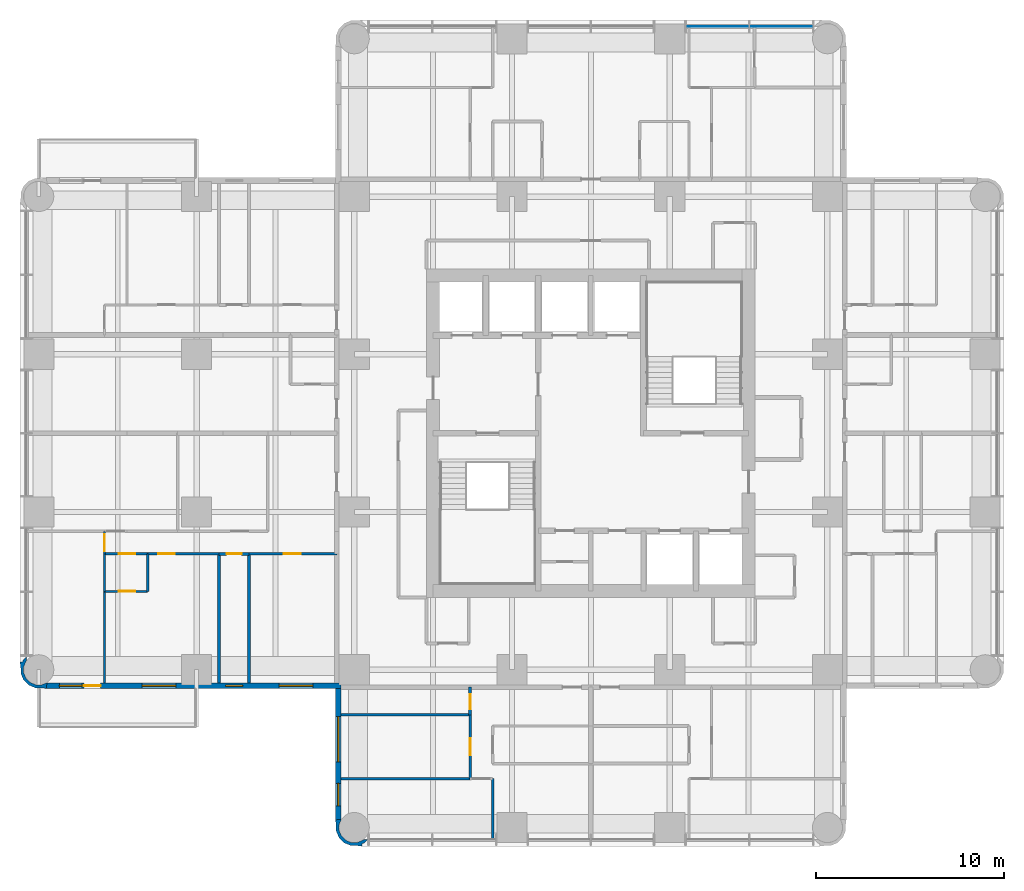
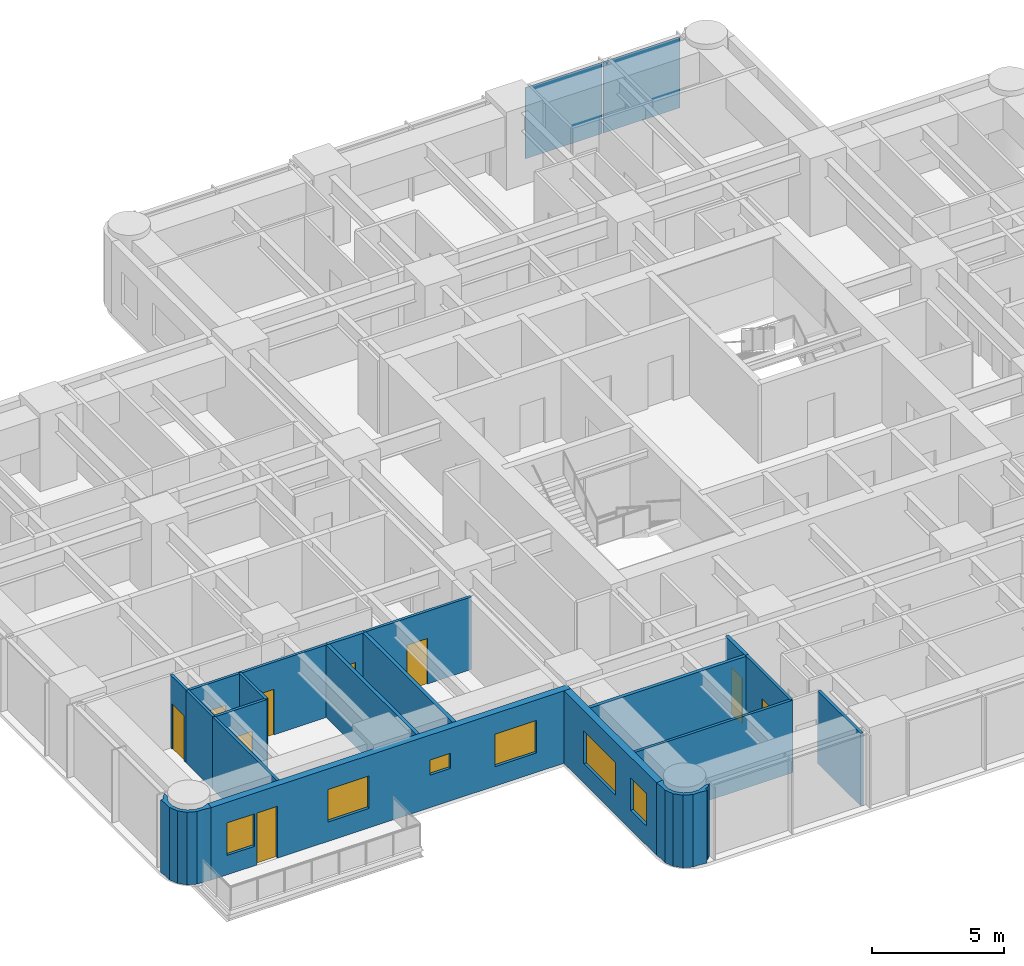
# One storey, part 4 of 11: 20 walls, 9 doors, 6 windows, 2 plates, 15 openings, 1 element without a shape of its own.
"""IFC4 building model written with IfcOpenShell, lengths in metres."""

from ifc_helpers import new_model, si_unit, direction, frame, frame_2d, origin, origin_2d, place, context, subcontext, project, spatial, polyline, rectangle, outline, extrude, material, layer, layer_set, type_object, element, fill, aggregate, save


model = new_model("IFC4")

# Units and contexts
model_context = context("Model", 3, precision=1e-05, world=origin(), true_north=direction((0.0, 1.0)))
body_context = subcontext(model_context, "Body", "Model", "MODEL_VIEW")
ifc_project = project(units=[si_unit("LENGTHUNIT", "METRE"), si_unit("AREAUNIT", "SQUARE_METRE"), si_unit("VOLUMEUNIT", "CUBIC_METRE"), si_unit("PLANEANGLEUNIT", "RADIAN"), si_unit("MASSUNIT", "GRAM", prefix="KILO")], contexts=[model_context])

# Site, building, storey
site_placement = place(None, origin())
site = spatial("IfcSite", under=ifc_project, at=site_placement, CompositionType="ELEMENT")
building_placement = place(site_placement, origin())
building = spatial("IfcBuilding", under=site, at=building_placement, Name="Torre Alcanfor", CompositionType="ELEMENT")
storey_placement = place(building_placement, frame((0.0, 0.0, 244.5)))
storey = spatial("IfcBuildingStorey", under=building, at=storey_placement, Name="L64", CompositionType="ELEMENT", Elevation=244.5)

# Curtain wall, plates
ifc_material_1 = material(Name="Aluminium and glass", Category="aluminium")
curtain_wall_type = type_object("IfcCurtainWallType", Name="CW-A unitised apartment glazing with vertical FIN", PredefinedType="NOTDEFINED", material=ifc_material_1)
curtain_wall_placement = place(storey_placement, origin())
curtain_wall = element("IfcCurtainWall", 1, at=curtain_wall_placement, inside=storey, type_object=curtain_wall_type, Name="Curtain wall CW-A L64 11", PredefinedType="NOTDEFINED")
ifc_material_2 = material(Name="Glass", Category="glass")
ifc_layer_1 = layer(ifc_material_2, 0.028076171875)
ifc_layer_set_1 = layer_set([ifc_layer_1], Name="CW-A clear double glazed unit")
plate_type = type_object("IfcPlateType", Name="CW-A clear double glazed unit", PredefinedType="CURTAIN_PANEL", material=ifc_layer_set_1)
plate_1_placement = place(storey_placement, frame((39.541259765625, 51.050048828125, 0.0), z_axis=(0.0, 0.0, 1.0), x_axis=(-1.0, 0.0, 0.0)))
plate_1 = element("IfcPlate", 2, at=plate_1_placement, type_object=plate_type, Name="CW-A panel 1.1.1", PredefinedType="CURTAIN_PANEL", context=body_context, shape_type="SweptSolid", body=[
    extrude(rectangle(XDim=3.337646484375, YDim=0.028076171875, at=origin_2d()), origin(), (0.0, 0.0, 1.0), 3.284912109375),
])
plate_2_placement = place(storey_placement, frame((36.138671875, 51.050048828125, 0.0), z_axis=(0.0, 0.0, 1.0), x_axis=(-1.0, 0.0, 0.0)))
plate_2 = element("IfcPlate", 3, at=plate_2_placement, type_object=plate_type, Name="CW-A panel 1.2.1", PredefinedType="CURTAIN_PANEL", context=body_context, shape_type="SweptSolid", body=[
    extrude(rectangle(XDim=3.337646484375, YDim=0.028076171875, at=origin_2d()), origin(), (0.0, 0.0, 1.0), 3.284912109375),
])
aggregate(curtain_wall, [plate_1, plate_2])

# Wall, opening, door
ifc_material_3 = material(Name="Gypsum board on steel studs", Category="steel")
ifc_layer_2 = layer(ifc_material_3, 0.1201171875)
ifc_layer_set_2 = layer_set([ifc_layer_2], Name="Apartment partition 120")
wall_type_1 = type_object("IfcWallType", Name="Apartment partition 120", PredefinedType="PARTITIONING", material=ifc_layer_set_2)
wall_1_placement = place(storey_placement, frame((22.970947265625, 11.0, 0.0), z_axis=(0.0, 0.0, 1.0), x_axis=(0.0, 1.0, 0.0)))
wall_1 = element("IfcWall", 4, at=wall_1_placement, inside=storey, type_object=wall_type_1, Name="Partition L64-S2-LIVING / L64-S2-STUDY", PredefinedType="PARTITIONING", context=body_context, shape_type="SweptSolid", body=[
    extrude(rectangle(XDim=3.39990234375, YDim=0.1201171875, at=frame_2d((1.699951171875, 0.0))), origin(), (0.0, 0.0, 1.0), 3.35009765625),
])
opening_1_placement = place(wall_1_placement, frame((1.25, 0.0, 0.0)))
opening_1 = element("IfcOpeningElement", 5, at=opening_1_placement, cuts=wall_1, Name="Opening D-R1", PredefinedType="OPENING", context=body_context, shape_type="SweptSolid", body=[
    extrude(rectangle(XDim=0.89990234375, YDim=2.10009765625, at=frame_2d((0.449951171875, 1.050048828125))), frame((0.0, 0.070068359375, 0.0), z_axis=(0.0, -1.0, 0.0), x_axis=(1.0, 0.0, 0.0)), (0.0, 0.0, 1.0), 0.14013671875),
])
ifc_material_4 = material(Name="Timber", Category="wood")
door_type_1 = type_object("IfcDoorType", Name="Internal door 900x2100", OperationType="SINGLE_SWING_LEFT", PredefinedType="DOOR", material=ifc_material_4)
door_1_placement = place(opening_1_placement, origin())
door_1 = element("IfcDoor", 6, at=door_1_placement, inside=storey, type_object=door_type_1, Name="Door L64-S2 study", OperationType="SINGLE_SWING_LEFT", OverallHeight=2.10009765625, OverallWidth=0.89990234375, PredefinedType="DOOR", context=body_context, shape_type="SweptSolid", body=[
    extrude(rectangle(XDim=0.89990234375, YDim=2.10009765625, at=frame_2d((0.449951171875, 1.050048828125))), frame((0.0, 0.02490234375, 0.0), z_axis=(0.0, -1.0, 0.0), x_axis=(1.0, 0.0, 0.0)), (0.0, 0.0, 1.0), 0.050048828125),
])
fill(opening_1, door_1)

# Walls
wall_2_placement = place(storey_placement, frame((24.1708984375, 7.75, 0.0), z_axis=(0.0, 0.0, 1.0), x_axis=(0.0, 1.0, 0.0)))
element("IfcWall", 7, at=wall_2_placement, inside=storey, type_object=wall_type_1, Name="Partition L64-S2-LIVING / L64-S2-MASTER", PredefinedType="PARTITIONING", context=body_context, shape_type="SweptSolid", body=[
    extrude(rectangle(XDim=3.25, YDim=0.1201171875, at=frame_2d((1.625, 0.0))), origin(), (0.0, 0.0, 1.0), 3.35009765625),
])
wall_3_placement = place(storey_placement, frame((22.970947265625, 11.0, 0.0), z_axis=(0.0, 0.0, 1.0), x_axis=(-1.0, 0.0, 0.0)))
element("IfcWall", 8, at=wall_3_placement, inside=storey, type_object=wall_type_1, Name="Partition L64-S2-STUDY / L64-S2-MASTER", PredefinedType="PARTITIONING", context=body_context, shape_type="SweptSolid", body=[
    extrude(rectangle(XDim=6.870849609375, YDim=0.1201171875, at=frame_2d((3.435546875, 0.0))), origin(), (0.0, 0.0, 1.0), 3.35009765625),
])

# Wall, opening, door
wall_4_placement = place(storey_placement, frame((11.199951171875, 22.970947265625, 0.0), z_axis=(0.0, 0.0, 1.0), x_axis=(1.0, 0.0, 0.0)))
wall_4 = element("IfcWall", 9, at=wall_4_placement, inside=storey, type_object=wall_type_1, Name="Partition L64-W1-HALL / L64-W1-BED2", PredefinedType="PARTITIONING", context=body_context, shape_type="SweptSolid", body=[
    extrude(rectangle(XDim=4.675048828125, YDim=0.1201171875, at=frame_2d((2.33740234375, 0.0))), origin(), (0.0, 0.0, 1.0), 3.35009765625),
])
opening_2_placement = place(wall_4_placement, frame((1.85009765625, 0.0, 0.0)))
opening_2 = element("IfcOpeningElement", 10, at=opening_2_placement, cuts=wall_4, Name="Opening D-R1", PredefinedType="OPENING", context=body_context, shape_type="SweptSolid", body=[
    extrude(rectangle(XDim=0.89990234375, YDim=2.10009765625, at=frame_2d((0.449951171875, 1.050048828125))), frame((0.0, 0.070068359375, 0.0), z_axis=(0.0, -1.0, 0.0), x_axis=(1.0, 0.0, 0.0)), (0.0, 0.0, 1.0), 0.14013671875),
])
door_2_placement = place(opening_2_placement, frame((0.89990234375, 0.0, 0.0), z_axis=(0.0, 0.0, 1.0), x_axis=(-1.0, 0.0, 0.0)))
door_2 = element("IfcDoor", 11, at=door_2_placement, inside=storey, type_object=door_type_1, Name="Door L64-W1 bed2", OperationType="SINGLE_SWING_RIGHT", OverallHeight=2.10009765625, OverallWidth=0.89990234375, PredefinedType="DOOR", context=body_context, shape_type="SweptSolid", body=[
    extrude(rectangle(XDim=0.89990234375, YDim=2.10009765625, at=frame_2d((0.449951171875, 1.050048828125))), frame((0.0, 0.025146484375, 0.0), z_axis=(0.0, -1.0, 0.0), x_axis=(1.0, 0.0, 0.0)), (0.0, 0.0, 1.0), 0.050048828125),
])
fill(opening_2, door_2)

wall_5_placement = place(storey_placement, frame((5.800048828125, 22.970947265625, 0.0), z_axis=(0.0, 0.0, 1.0), x_axis=(1.0, 0.0, 0.0)))
wall_5 = element("IfcWall", 12, at=wall_5_placement, inside=storey, type_object=wall_type_1, Name="Partition L64-W1-HALL / L64-W1-MASTER", PredefinedType="PARTITIONING", context=body_context, shape_type="SweptSolid", body=[
    extrude(rectangle(XDim=3.800048828125, YDim=0.1201171875, at=frame_2d((1.89990234375, 0.0))), origin(), (0.0, 0.0, 1.0), 3.35009765625),
])
opening_3_placement = place(wall_5_placement, frame((0.550048828125, 0.0, 0.0)))
opening_3 = element("IfcOpeningElement", 13, at=opening_3_placement, cuts=wall_5, Name="Opening D-R1", PredefinedType="OPENING", context=body_context, shape_type="SweptSolid", body=[
    extrude(rectangle(XDim=0.89990234375, YDim=2.10009765625, at=frame_2d((0.449951171875, 1.050048828125))), frame((0.0, 0.070068359375, 0.0), z_axis=(0.0, -1.0, 0.0), x_axis=(1.0, 0.0, 0.0)), (0.0, 0.0, 1.0), 0.14013671875),
])
door_3_placement = place(opening_3_placement, frame((0.89990234375, 0.0, 0.0), z_axis=(0.0, 0.0, 1.0), x_axis=(-1.0, 0.0, 0.0)))
door_3 = element("IfcDoor", 14, at=door_3_placement, inside=storey, type_object=door_type_1, Name="Door L64-W1 master", OperationType="SINGLE_SWING_RIGHT", OverallHeight=2.10009765625, OverallWidth=0.89990234375, PredefinedType="DOOR", context=body_context, shape_type="SweptSolid", body=[
    extrude(rectangle(XDim=0.89990234375, YDim=2.10009765625, at=frame_2d((0.449951171875, 1.050048828125))), frame((0.0, 0.025146484375, 0.0), z_axis=(0.0, -1.0, 0.0), x_axis=(1.0, 0.0, 0.0)), (0.0, 0.0, 1.0), 0.050048828125),
])
fill(opening_3, door_3)

wall_6_placement = place(storey_placement, frame((3.5, 22.970947265625, 0.0), z_axis=(0.0, 0.0, 1.0), x_axis=(1.0, 0.0, 0.0)))
wall_6 = element("IfcWall", 15, at=wall_6_placement, inside=storey, type_object=wall_type_1, Name="Partition L64-W1-HALL / L64-W1-VEST", PredefinedType="PARTITIONING", context=body_context, shape_type="SweptSolid", body=[
    extrude(rectangle(XDim=2.300048828125, YDim=0.1201171875, at=frame_2d((1.14990234375, 0.0))), origin(), (0.0, 0.0, 1.0), 3.35009765625),
])
opening_4_placement = place(wall_6_placement, frame((0.75, 0.0, 0.0)))
opening_4 = element("IfcOpeningElement", 16, at=opening_4_placement, cuts=wall_6, Name="Opening D-R1", PredefinedType="OPENING", context=body_context, shape_type="SweptSolid", body=[
    extrude(rectangle(XDim=0.89990234375, YDim=2.10009765625, at=frame_2d((0.449951171875, 1.050048828125))), frame((0.0, 0.070068359375, 0.0), z_axis=(0.0, -1.0, 0.0), x_axis=(1.0, 0.0, 0.0)), (0.0, 0.0, 1.0), 0.14013671875),
])
door_4_placement = place(opening_4_placement, frame((0.89990234375, 0.0, 0.0), z_axis=(0.0, 0.0, 1.0), x_axis=(-1.0, 0.0, 0.0)))
door_4 = element("IfcDoor", 17, at=door_4_placement, inside=storey, type_object=door_type_1, Name="Door L64-W1 vest", OperationType="SINGLE_SWING_LEFT", OverallHeight=2.10009765625, OverallWidth=0.89990234375, PredefinedType="DOOR", context=body_context, shape_type="SweptSolid", body=[
    extrude(rectangle(XDim=0.89990234375, YDim=2.10009765625, at=frame_2d((0.449951171875, 1.050048828125))), frame((0.0, 0.025146484375, 0.0), z_axis=(0.0, -1.0, 0.0), x_axis=(1.0, 0.0, 0.0)), (0.0, 0.0, 1.0), 0.050048828125),
])
fill(opening_4, door_4)

wall_7_placement = place(storey_placement, frame((3.5, 24.1708984375, 0.0), z_axis=(0.0, 0.0, 1.0), x_axis=(0.0, -1.0, 0.0)))
wall_7 = element("IfcWall", 18, at=wall_7_placement, inside=storey, type_object=wall_type_1, Name="Partition L64-W1-HALL / L64-W1-WGARD", PredefinedType="PARTITIONING", context=body_context, shape_type="SweptSolid", body=[
    extrude(rectangle(XDim=1.199951171875, YDim=0.1201171875, at=frame_2d((0.60009765625, 0.0))), origin(), (0.0, 0.0, 1.0), 3.35009765625),
])
opening_5_placement = place(wall_7_placement, frame((0.15087890625, 0.0, 0.0)))
opening_5 = element("IfcOpeningElement", 19, at=opening_5_placement, cuts=wall_7, Name="Opening D-R1", PredefinedType="OPENING", context=body_context, shape_type="SweptSolid", body=[
    extrude(rectangle(XDim=0.89990234375, YDim=2.10009765625, at=frame_2d((0.449951171875, 1.050048828125))), frame((0.0, 0.070068359375, 0.0), z_axis=(0.0, -1.0, 0.0), x_axis=(1.0, 0.0, 0.0)), (0.0, 0.0, 1.0), 0.14013671875),
])
door_5_placement = place(opening_5_placement, frame((0.89990234375, 0.0, 0.0), z_axis=(0.0, 0.0, 1.0), x_axis=(-1.0, 0.0, 0.0)))
door_5 = element("IfcDoor", 20, at=door_5_placement, inside=storey, type_object=door_type_1, Name="Door L64-W1 wgard", OperationType="SINGLE_SWING_RIGHT", OverallHeight=2.10009765625, OverallWidth=0.89990234375, PredefinedType="DOOR", context=body_context, shape_type="SweptSolid", body=[
    extrude(rectangle(XDim=0.89990234375, YDim=2.10009765625, at=frame_2d((0.449951171875, 1.050048828125))), frame((0.0, 0.025146484375, 0.0), z_axis=(0.0, -1.0, 0.0), x_axis=(1.0, 0.0, 0.0)), (0.0, 0.0, 1.0), 0.050048828125),
])
fill(opening_5, door_5)

wall_8_placement = place(storey_placement, frame((3.5, 20.970947265625, 0.0), z_axis=(0.0, 0.0, 1.0), x_axis=(1.0, 0.0, 0.0)))
wall_8 = element("IfcWall", 21, at=wall_8_placement, inside=storey, type_object=wall_type_1, Name="Partition L64-W1-MASTER / L64-W1-VEST", PredefinedType="PARTITIONING", context=body_context, shape_type="SweptSolid", body=[
    extrude(rectangle(XDim=2.300048828125, YDim=0.1201171875, at=frame_2d((1.14990234375, 0.0))), origin(), (0.0, 0.0, 1.0), 3.35009765625),
])
opening_6_placement = place(wall_8_placement, frame((0.75, 0.0, 0.0)))
opening_6 = element("IfcOpeningElement", 22, at=opening_6_placement, cuts=wall_8, Name="Opening D-R1", PredefinedType="OPENING", context=body_context, shape_type="SweptSolid", body=[
    extrude(rectangle(XDim=0.89990234375, YDim=2.10009765625, at=frame_2d((0.449951171875, 1.050048828125))), frame((0.0, 0.070068359375, 0.0), z_axis=(0.0, -1.0, 0.0), x_axis=(1.0, 0.0, 0.0)), (0.0, 0.0, 1.0), 0.14013671875),
])
door_6_placement = place(opening_6_placement, origin())
door_6 = element("IfcDoor", 23, at=door_6_placement, inside=storey, type_object=door_type_1, Name="Door L64-W1 master", OperationType="SINGLE_SWING_RIGHT", OverallHeight=2.10009765625, OverallWidth=0.89990234375, PredefinedType="DOOR", context=body_context, shape_type="SweptSolid", body=[
    extrude(rectangle(XDim=0.89990234375, YDim=2.10009765625, at=frame_2d((0.449951171875, 1.050048828125))), frame((0.0, 0.02490234375, 0.0), z_axis=(0.0, -1.0, 0.0), x_axis=(1.0, 0.0, 0.0)), (0.0, 0.0, 1.0), 0.050048828125),
])
fill(opening_6, door_6)

# Walls
wall_9_placement = place(storey_placement, frame((5.800048828125, 20.970947265625, 0.0), z_axis=(0.0, 0.0, 1.0), x_axis=(0.0, 1.0, 0.0)))
element("IfcWall", 24, at=wall_9_placement, inside=storey, type_object=wall_type_1, Name="Partition L64-W1-MASTER / L64-W1-VEST", PredefinedType="PARTITIONING", context=body_context, shape_type="SweptSolid", body=[
    extrude(rectangle(XDim=2.0, YDim=0.1201171875, at=frame_2d((1.0, 0.0))), origin(), (0.0, 0.0, 1.0), 3.35009765625),
])
wall_10_placement = place(storey_placement, frame((3.5, 16.10009765625, 0.0), z_axis=(0.0, 0.0, 1.0), x_axis=(0.0, 1.0, 0.0)))
element("IfcWall", 25, at=wall_10_placement, inside=storey, type_object=wall_type_1, Name="Partition L64-W1-MASTER / L64-W1-WGARD", PredefinedType="PARTITIONING", context=body_context, shape_type="SweptSolid", body=[
    extrude(rectangle(XDim=4.870849609375, YDim=0.1201171875, at=frame_2d((2.435546875, 0.0))), origin(), (0.0, 0.0, 1.0), 3.35009765625),
])
wall_11_placement = place(storey_placement, frame((3.5, 22.970947265625, 0.0), z_axis=(0.0, 0.0, 1.0), x_axis=(0.0, -1.0, 0.0)))
element("IfcWall", 26, at=wall_11_placement, inside=storey, type_object=wall_type_1, Name="Partition L64-W1-VEST / L64-W1-WGARD", PredefinedType="PARTITIONING", context=body_context, shape_type="SweptSolid", body=[
    extrude(rectangle(XDim=2.0, YDim=0.1201171875, at=frame_2d((1.0, 0.0))), origin(), (0.0, 0.0, 1.0), 3.35009765625),
])

# Wall, openings, door, windows
ifc_material_5 = material(Name="Limestone cladding", Category="masonry")
ifc_layer_3 = layer(ifc_material_5, 0.0400390625, Name="Facing")
ifc_material_6 = material(Name="Ventilated air cavity")
ifc_layer_4 = layer(ifc_material_6, 0.02001953125, ventilated=True, Name="Ventilated joint")
ifc_material_7 = material(Name="Mineral wool insulation", Category="insulation")
ifc_layer_5 = layer(ifc_material_7, 0.10009765625, Name="Insulation")
ifc_material_8 = material(Name="Concrete f'c 35 MPa", Category="concrete")
ifc_layer_6 = layer(ifc_material_8, 0.139892578125, Name="Backing")
ifc_layer_set_3 = layer_set([ifc_layer_3, ifc_layer_4, ifc_layer_5, ifc_layer_6], Name="External wall stone-clad 300")
wall_type_2 = type_object("IfcWallType", Name="External wall stone-clad 300", PredefinedType="SOLIDWALL", material=ifc_layer_set_3)
wall_12_placement = place(storey_placement, frame((0.39990234375, 15.949951171875, 0.0), z_axis=(0.0, 0.0, 1.0), x_axis=(1.0, 0.0, 0.0)))
wall_12 = element("IfcWall", 27, at=wall_12_placement, inside=storey, type_object=wall_type_2, Name="External wall L64 3", PredefinedType="SOLIDWALL", context=body_context, shape_type="SweptSolid", body=[
    extrude(rectangle(XDim=15.7001953125, YDim=0.300048828125, at=frame_2d((7.85009765625, 0.0))), origin(), (0.0, 0.0, 1.0), 3.35009765625),
])
opening_7_placement = place(wall_12_placement, frame((12.39990234375, 0.0, 0.89990234375)))
opening_7 = element("IfcOpeningElement", 28, at=opening_7_placement, cuts=wall_12, Name="Opening W2", PredefinedType="OPENING", context=body_context, shape_type="SweptSolid", body=[
    extrude(rectangle(XDim=1.800048828125, YDim=1.5, at=frame_2d((0.89990234375, 0.75))), frame((0.0, 0.159912109375, 0.0), z_axis=(0.0, -1.0, 0.0), x_axis=(1.0, 0.0, 0.0)), (0.0, 0.0, 1.0), 0.320068359375),
])
opening_8_placement = place(wall_12_placement, frame((9.550048828125, 0.0, 1.5)))
opening_8 = element("IfcOpeningElement", 29, at=opening_8_placement, cuts=wall_12, Name="Opening W3", PredefinedType="OPENING", context=body_context, shape_type="SweptSolid", body=[
    extrude(rectangle(XDim=0.89990234375, YDim=0.699951171875, at=frame_2d((0.449951171875, 0.35009765625))), frame((0.0, 0.159912109375, 0.0), z_axis=(0.0, -1.0, 0.0), x_axis=(1.0, 0.0, 0.0)), (0.0, 0.0, 1.0), 0.320068359375),
])
opening_9_placement = place(wall_12_placement, frame((5.10009765625, 0.0, 0.89990234375)))
opening_9 = element("IfcOpeningElement", 30, at=opening_9_placement, cuts=wall_12, Name="Opening W2", PredefinedType="OPENING", context=body_context, shape_type="SweptSolid", body=[
    extrude(rectangle(XDim=1.800048828125, YDim=1.5, at=frame_2d((0.89990234375, 0.75))), frame((0.0, 0.159912109375, 0.0), z_axis=(0.0, -1.0, 0.0), x_axis=(1.0, 0.0, 0.0)), (0.0, 0.0, 1.0), 0.320068359375),
])
opening_10_placement = place(wall_12_placement, frame((2.0, 0.0, 0.0)))
opening_10 = element("IfcOpeningElement", 31, at=opening_10_placement, cuts=wall_12, Name="Opening D-B1", PredefinedType="OPENING", context=body_context, shape_type="SweptSolid", body=[
    extrude(rectangle(XDim=0.89990234375, YDim=2.39990234375, at=frame_2d((0.449951171875, 1.199951171875))), frame((0.0, 0.159912109375, 0.0), z_axis=(0.0, -1.0, 0.0), x_axis=(1.0, 0.0, 0.0)), (0.0, 0.0, 1.0), 0.320068359375),
])
opening_11_placement = place(wall_12_placement, frame((0.699951171875, 0.0, 0.89990234375)))
opening_11 = element("IfcOpeningElement", 32, at=opening_11_placement, cuts=wall_12, Name="Opening W4", PredefinedType="OPENING", context=body_context, shape_type="SweptSolid", body=[
    extrude(rectangle(XDim=1.199951171875, YDim=1.5, at=frame_2d((0.60009765625, 0.75))), frame((0.0, 0.159912109375, 0.0), z_axis=(0.0, -1.0, 0.0), x_axis=(1.0, 0.0, 0.0)), (0.0, 0.0, 1.0), 0.320068359375),
])
ifc_material_9 = material(Name="Aluminium and glass", Category="aluminium")
door_type_2 = type_object("IfcDoorType", Name="Balcony door glazed 900x2400", OperationType="SINGLE_SWING_LEFT", PredefinedType="DOOR", material=ifc_material_9)
door_7_placement = place(opening_10_placement, origin())
door_7 = element("IfcDoor", 33, at=door_7_placement, inside=storey, type_object=door_type_2, Name="Balcony door L64-W1", OperationType="SINGLE_SWING_RIGHT", OverallHeight=2.39990234375, OverallWidth=0.89990234375, PredefinedType="DOOR", context=body_context, shape_type="SweptSolid", body=[
    extrude(rectangle(XDim=0.89990234375, YDim=2.39990234375, at=frame_2d((0.449951171875, 1.199951171875))), frame((0.0, 0.02490234375, 0.0), z_axis=(0.0, -1.0, 0.0), x_axis=(1.0, 0.0, 0.0)), (0.0, 0.0, 1.0), 0.050048828125),
])
fill(opening_10, door_7)
ifc_material_10 = material(Name="Aluminium frame with clear double glazing", Category="aluminium")
window_type_1 = type_object("IfcWindowType", Name="Window bathroom 900x700", PartitioningType="SINGLE_PANEL", PredefinedType="WINDOW", material=ifc_material_10)
window_1_placement = place(opening_8_placement, origin())
window_1 = element("IfcWindow", 34, at=window_1_placement, inside=storey, type_object=window_type_1, Name="Window W3 L64-W1", OverallHeight=0.699951171875, OverallWidth=0.89990234375, PartitioningType="SINGLE_PANEL", PredefinedType="WINDOW", context=body_context, shape_type="SweptSolid", body=[
    extrude(rectangle(XDim=0.89990234375, YDim=0.699951171875, at=frame_2d((0.449951171875, 0.35009765625))), frame((0.0, 0.030029296875, 0.0), z_axis=(0.0, -1.0, 0.0), x_axis=(1.0, 0.0, 0.0)), (0.0, 0.0, 1.0), 0.06005859375),
])
fill(opening_8, window_1)
ifc_material_11 = material(Name="Aluminium frame with clear double glazing", Category="aluminium")
window_type_2 = type_object("IfcWindowType", Name="Window bedroom 1200x1500", PartitioningType="SINGLE_PANEL", PredefinedType="WINDOW", material=ifc_material_11)
window_2_placement = place(opening_11_placement, origin())
window_2 = element("IfcWindow", 35, at=window_2_placement, inside=storey, type_object=window_type_2, Name="Window W4 L64-W1", OverallHeight=1.5, OverallWidth=1.199951171875, PartitioningType="SINGLE_PANEL", PredefinedType="WINDOW", context=body_context, shape_type="SweptSolid", body=[
    extrude(rectangle(XDim=1.199951171875, YDim=1.5, at=frame_2d((0.60009765625, 0.75))), frame((0.0, 0.030029296875, 0.0), z_axis=(0.0, -1.0, 0.0), x_axis=(1.0, 0.0, 0.0)), (0.0, 0.0, 1.0), 0.06005859375),
])
fill(opening_11, window_2)
ifc_material_12 = material(Name="Aluminium frame with clear double glazing", Category="aluminium")
window_type_3 = type_object("IfcWindowType", Name="Window bedroom 1800x1500", PartitioningType="SINGLE_PANEL", PredefinedType="WINDOW", material=ifc_material_12)
window_3_placement = place(opening_7_placement, origin())
window_3 = element("IfcWindow", 36, at=window_3_placement, inside=storey, type_object=window_type_3, Name="Window W2 L64-W1", OverallHeight=1.5, OverallWidth=1.800048828125, PartitioningType="SINGLE_PANEL", PredefinedType="WINDOW", context=body_context, shape_type="SweptSolid", body=[
    extrude(rectangle(XDim=1.800048828125, YDim=1.5, at=frame_2d((0.89990234375, 0.75))), frame((0.0, 0.030029296875, 0.0), z_axis=(0.0, -1.0, 0.0), x_axis=(1.0, 0.0, 0.0)), (0.0, 0.0, 1.0), 0.06005859375),
])
fill(opening_7, window_3)
window_4_placement = place(opening_9_placement, origin())
window_4 = element("IfcWindow", 37, at=window_4_placement, inside=storey, type_object=window_type_3, Name="Window W2 L64-W1", OverallHeight=1.5, OverallWidth=1.800048828125, PartitioningType="SINGLE_PANEL", PredefinedType="WINDOW", context=body_context, shape_type="SweptSolid", body=[
    extrude(rectangle(XDim=1.800048828125, YDim=1.5, at=frame_2d((0.89990234375, 0.75))), frame((0.0, 0.030029296875, 0.0), z_axis=(0.0, -1.0, 0.0), x_axis=(1.0, 0.0, 0.0)), (0.0, 0.0, 1.0), 0.06005859375),
])
fill(opening_9, window_4)

# Wall, openings, windows
wall_13_placement = place(storey_placement, frame((15.949951171875, 15.800048828125, 0.0), z_axis=(0.0, 0.0, 1.0), x_axis=(0.0, -1.0, 0.0)))
wall_13 = element("IfcWall", 38, at=wall_13_placement, inside=storey, type_object=wall_type_2, Name="External wall L64 4", PredefinedType="SOLIDWALL", context=body_context, shape_type="SweptSolid", body=[
    extrude(rectangle(XDim=7.0, YDim=0.300048828125, at=frame_2d((3.5, 0.0))), origin(), (0.0, 0.0, 1.0), 3.35009765625),
])
opening_12_placement = place(wall_13_placement, frame((1.5, 0.0, 0.89990234375)))
opening_12 = element("IfcOpeningElement", 39, at=opening_12_placement, cuts=wall_13, Name="Opening W1", PredefinedType="OPENING", context=body_context, shape_type="SweptSolid", body=[
    extrude(rectangle(XDim=2.39990234375, YDim=1.5, at=frame_2d((1.199951171875, 0.75))), frame((0.0, 0.159912109375, 0.0), z_axis=(0.0, -1.0, 0.0), x_axis=(1.0, 0.0, 0.0)), (0.0, 0.0, 1.0), 0.320068359375),
])
opening_13_placement = place(wall_13_placement, frame((5.050048828125, 0.0, 0.89990234375)))
opening_13 = element("IfcOpeningElement", 40, at=opening_13_placement, cuts=wall_13, Name="Opening W4", PredefinedType="OPENING", context=body_context, shape_type="SweptSolid", body=[
    extrude(rectangle(XDim=1.199951171875, YDim=1.5, at=frame_2d((0.60009765625, 0.75))), frame((0.0, 0.159912109375, 0.0), z_axis=(0.0, -1.0, 0.0), x_axis=(1.0, 0.0, 0.0)), (0.0, 0.0, 1.0), 0.320068359375),
])
window_5_placement = place(opening_13_placement, origin())
window_5 = element("IfcWindow", 41, at=window_5_placement, inside=storey, type_object=window_type_2, Name="Window W4 L64-S2", OverallHeight=1.5, OverallWidth=1.199951171875, PartitioningType="SINGLE_PANEL", PredefinedType="WINDOW", context=body_context, shape_type="SweptSolid", body=[
    extrude(rectangle(XDim=1.199951171875, YDim=1.5, at=frame_2d((0.60009765625, 0.75))), frame((0.0, 0.030029296875, 0.0), z_axis=(0.0, -1.0, 0.0), x_axis=(1.0, 0.0, 0.0)), (0.0, 0.0, 1.0), 0.06005859375),
])
fill(opening_13, window_5)
ifc_material_13 = material(Name="Aluminium frame with clear double glazing", Category="aluminium")
window_type_4 = type_object("IfcWindowType", Name="Window bedroom 2400x1500", PartitioningType="SINGLE_PANEL", PredefinedType="WINDOW", material=ifc_material_13)
window_6_placement = place(opening_12_placement, origin())
window_6 = element("IfcWindow", 42, at=window_6_placement, inside=storey, type_object=window_type_4, Name="Window W1 L64-S2", OverallHeight=1.5, OverallWidth=2.39990234375, PartitioningType="SINGLE_PANEL", PredefinedType="WINDOW", context=body_context, shape_type="SweptSolid", body=[
    extrude(rectangle(XDim=2.39990234375, YDim=1.5, at=frame_2d((1.199951171875, 0.75))), frame((0.0, 0.030029296875, 0.0), z_axis=(0.0, -1.0, 0.0), x_axis=(1.0, 0.0, 0.0)), (0.0, 0.0, 1.0), 0.06005859375),
])
fill(opening_12, window_6)

# Walls
ifc_layer_7 = layer(ifc_material_5, 0.0400390625, Name="Facing")
ifc_layer_8 = layer(ifc_material_6, 0.02001953125, ventilated=True, Name="Ventilated joint")
ifc_layer_9 = layer(ifc_material_7, 0.10009765625, Name="Insulation")
ifc_layer_10 = layer(ifc_material_8, 0.139892578125, Name="Backing")
ifc_layer_set_4 = layer_set([ifc_layer_7, ifc_layer_8, ifc_layer_9, ifc_layer_10], Name="Rounded corner pier stone-clad 300")
wall_type_3 = type_object("IfcWallType", Name="Rounded corner pier stone-clad 300", PredefinedType="SOLIDWALL", material=ifc_layer_set_4)
wall_14_placement = place(storey_placement, frame((-0.595317512, 17.448071802, 0.0), z_axis=(0.0, 0.0, 1.0), x_axis=(-0.93923434088, -0.343276641956, 0.0)))
element("IfcWall", 43, at=wall_14_placement, inside=storey, type_object=wall_type_3, Name="Corner pier L64 14", PredefinedType="SOLIDWALL", context=body_context, shape_type="SweptSolid", body=[
    extrude(outline(polyline([(-0.36901687290747565, 1.8895155017116005), (-0.5091640790076659, 1.6212761977701722), (-0.4905903530283585, 1.6144877680830545), (-0.47948243923657013, 1.6086084348003613), (-0.21122522327048593, 1.6199972505432854), (0.08778883447046232, 1.5107119133580826), (0.3225108976454373, 1.2952164137736593), (0.4570343816413681, 1.0061292766156664), (0.470385530542732, 0.6877670550734887), (0.36101638558361415, 0.38852369207353665), (0.14552088599919094, 0.15380162889856172), (0.10803112982284666, 0.13657123594691412), (0.030844170047101382, -0.07461890759558078), (0.24094301513563465, 0.023009904898978376), (0.3335722649355225, 0.12354205241220817), (0.46526570659148436, 0.09412537095504334), (0.5319165148651629, 0.3931255880778293), (0.6305582647631567, 0.6630178779252955), (0.6143066479271062, 1.0445648337608835), (0.4533864294189357, 1.390867848169107), (0.172157378959642, 1.6490946263605986), (-0.09750560562882049, 1.747652568484677), (-0.36901687290747565, 1.8895155017116005)])), origin(), (0.0, 0.0, 1.0), 3.35009765625),
])
wall_15_placement = place(storey_placement, frame((15.982940512, 8.726823795, 0.0), z_axis=(0.0, 0.0, 1.0), x_axis=(-0.343276641956, -0.93923434088, 0.0)))
element("IfcWall", 44, at=wall_15_placement, inside=storey, type_object=wall_type_3, Name="Corner pier L64 15", PredefinedType="SOLIDWALL", context=body_context, shape_type="SweptSolid", body=[
    extrude(outline(polyline([(0.8285188621172053, 1.5985593448955209), (0.6965961152022397, 1.5690588556644411), (0.6041961706613557, 1.669674810951586), (0.3940973255728224, 1.767303623446145), (0.47128428534856764, 1.55611347990365), (0.5085447362659081, 1.5387992791780876), (0.7240402358503313, 1.3040772160031127), (0.8334093808094493, 1.0048338530031606), (0.8200582319080854, 0.6864716314609828), (0.6857640531711582, 0.3974683020769049), (0.4510419899961833, 0.18197280249248177), (0.15179862699623123, 0.07260365753336384), (-0.11622928371084919, 0.08407628105020303), (-0.1273371975026375, 0.0781969477675098), (-0.14614022874094865, 0.07132471030647711), (-0.0059930226407584886, -0.19691459363495123), (0.26574754989690047, -0.054967852634112954), (0.535410534485363, 0.043590089489965705), (0.8166395849446566, 0.30181686768145743), (0.9775598034528271, 0.6481198820896807), (0.9938114202888776, 1.0296668379252687), (0.8951696703908839, 1.299559127772735), (0.8285188621172053, 1.5985593448955209)])), origin(), (0.0, 0.0, 1.0), 3.35009765625),
])

# Wall, opening, door
ifc_material_14 = material(Name="Cement board on steel studs", Category="steel")
ifc_layer_11 = layer(ifc_material_14, 0.14990234375)
ifc_layer_set_5 = layer_set([ifc_layer_11], Name="Wet area partition 150")
wall_type_4 = type_object("IfcWallType", Name="Wet area partition 150", PredefinedType="PARTITIONING", material=ifc_layer_set_5)
wall_16_placement = place(storey_placement, frame((22.970947265625, 14.39990234375, 0.0), z_axis=(0.0, 0.0, 1.0), x_axis=(0.0, 1.0, 0.0)))
wall_16 = element("IfcWall", 45, at=wall_16_placement, inside=storey, type_object=wall_type_4, Name="Partition L64-S2-LIVING / L64-S2-BATH", PredefinedType="PARTITIONING", context=body_context, shape_type="SweptSolid", body=[
    extrude(rectangle(XDim=1.47509765625, YDim=0.14990234375, at=frame_2d((0.737548828125, 0.0))), origin(), (0.0, 0.0, 1.0), 3.35009765625),
])
opening_14_placement = place(wall_16_placement, frame((0.300048828125, 0.0, 0.0)))
opening_14 = element("IfcOpeningElement", 46, at=opening_14_placement, cuts=wall_16, Name="Opening D-R2", PredefinedType="OPENING", context=body_context, shape_type="SweptSolid", body=[
    extrude(rectangle(XDim=0.800048828125, YDim=2.10009765625, at=frame_2d((0.39990234375, 1.050048828125))), frame((0.0, 0.0849609375, 0.0), z_axis=(0.0, -1.0, 0.0), x_axis=(1.0, 0.0, 0.0)), (0.0, 0.0, 1.0), 0.169921875),
])
ifc_material_15 = material(Name="Timber", Category="wood")
door_type_3 = type_object("IfcDoorType", Name="Bathroom door 800x2100", OperationType="SINGLE_SWING_LEFT", PredefinedType="DOOR", material=ifc_material_15)
door_8_placement = place(opening_14_placement, origin())
door_8 = element("IfcDoor", 47, at=door_8_placement, inside=storey, type_object=door_type_3, Name="Door L64-S2 bath", OperationType="SINGLE_SWING_LEFT", OverallHeight=2.10009765625, OverallWidth=0.800048828125, PredefinedType="DOOR", context=body_context, shape_type="SweptSolid", body=[
    extrude(rectangle(XDim=0.800048828125, YDim=2.10009765625, at=frame_2d((0.39990234375, 1.050048828125))), frame((0.0, 0.02490234375, 0.0), z_axis=(0.0, -1.0, 0.0), x_axis=(1.0, 0.0, 0.0)), (0.0, 0.0, 1.0), 0.050048828125),
])
fill(opening_14, door_8)

# Wall
wall_17_placement = place(storey_placement, frame((22.970947265625, 14.39990234375, 0.0), z_axis=(0.0, 0.0, 1.0), x_axis=(-1.0, 0.0, 0.0)))
element("IfcWall", 48, at=wall_17_placement, inside=storey, type_object=wall_type_4, Name="Partition L64-S2-BATH / L64-S2-STUDY", PredefinedType="PARTITIONING", context=body_context, shape_type="SweptSolid", body=[
    extrude(rectangle(XDim=6.870849609375, YDim=0.14990234375, at=frame_2d((3.435546875, 0.0))), origin(), (0.0, 0.0, 1.0), 3.35009765625),
])

# Wall, opening, door
wall_18_placement = place(storey_placement, frame((9.60009765625, 22.970947265625, 0.0), z_axis=(0.0, 0.0, 1.0), x_axis=(1.0, 0.0, 0.0)))
wall_18 = element("IfcWall", 49, at=wall_18_placement, inside=storey, type_object=wall_type_4, Name="Partition L64-W1-HALL / L64-W1-BATH1", PredefinedType="PARTITIONING", context=body_context, shape_type="SweptSolid", body=[
    extrude(rectangle(XDim=1.599853515625, YDim=0.14990234375, at=frame_2d((0.7998046875, 0.0))), origin(), (0.0, 0.0, 1.0), 3.35009765625),
])
opening_15_placement = place(wall_18_placement, frame((0.39990234375, 0.0, 0.0)))
opening_15 = element("IfcOpeningElement", 50, at=opening_15_placement, cuts=wall_18, Name="Opening D-R2", PredefinedType="OPENING", context=body_context, shape_type="SweptSolid", body=[
    extrude(rectangle(XDim=0.800048828125, YDim=2.10009765625, at=frame_2d((0.39990234375, 1.050048828125))), frame((0.0, 0.0849609375, 0.0), z_axis=(0.0, -1.0, 0.0), x_axis=(1.0, 0.0, 0.0)), (0.0, 0.0, 1.0), 0.169921875),
])
door_9_placement = place(opening_15_placement, frame((0.800048828125, 0.0, 0.0), z_axis=(0.0, 0.0, 1.0), x_axis=(-1.0, 0.0, 0.0)))
door_9 = element("IfcDoor", 51, at=door_9_placement, inside=storey, type_object=door_type_3, Name="Door L64-W1 bath1", OperationType="SINGLE_SWING_RIGHT", OverallHeight=2.10009765625, OverallWidth=0.800048828125, PredefinedType="DOOR", context=body_context, shape_type="SweptSolid", body=[
    extrude(rectangle(XDim=0.800048828125, YDim=2.10009765625, at=frame_2d((0.400146484375, 1.050048828125))), frame((0.0, 0.025146484375, 0.0), z_axis=(0.0, -1.0, 0.0), x_axis=(1.0, 0.0, 0.0)), (0.0, 0.0, 1.0), 0.050048828125),
])
fill(opening_15, door_9)

# Walls
for number, where, z_axis, x_axis, name in (
    (52, (11.199951171875, 22.970947265625, 0.0), (0.0, 0.0, 1.0), (0.0, -1.0, 0.0), "Partition L64-W1-BED2 / L64-W1-BATH1"),
    (53, (9.60009765625, 22.970947265625, 0.0), (0.0, 0.0, 1.0), (0.0, -1.0, 0.0), "Partition L64-W1-BATH1 / L64-W1-MASTER"),
):
    element("IfcWall", number, at=place(storey_placement, frame(where, z_axis=z_axis, x_axis=x_axis)), inside=storey, type_object=wall_type_4, Name=name, PredefinedType="PARTITIONING", context=body_context, shape_type="SweptSolid", body=[
        extrude(rectangle(XDim=6.870849609375, YDim=0.14990234375, at=frame_2d((3.435546875, 0.0))), origin(), (0.0, 0.0, 1.0), 3.35009765625),
    ])

save(model, "model.ifc")
